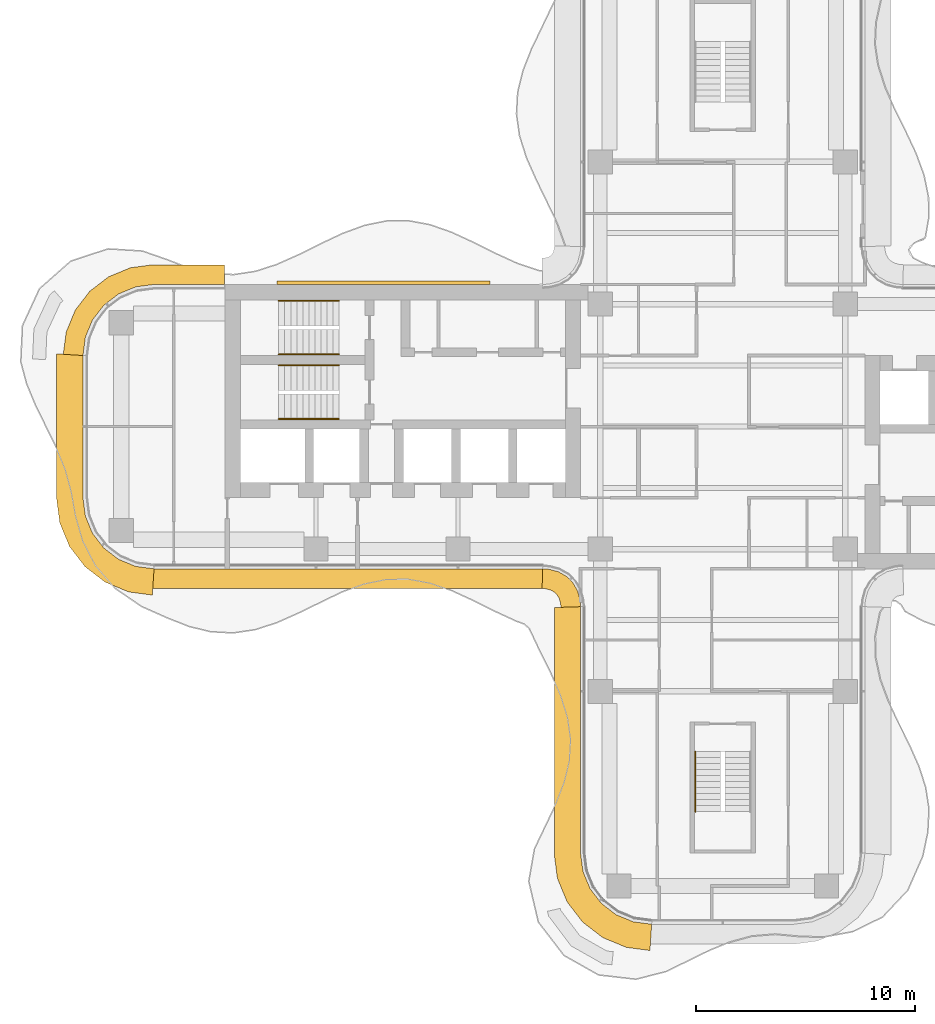
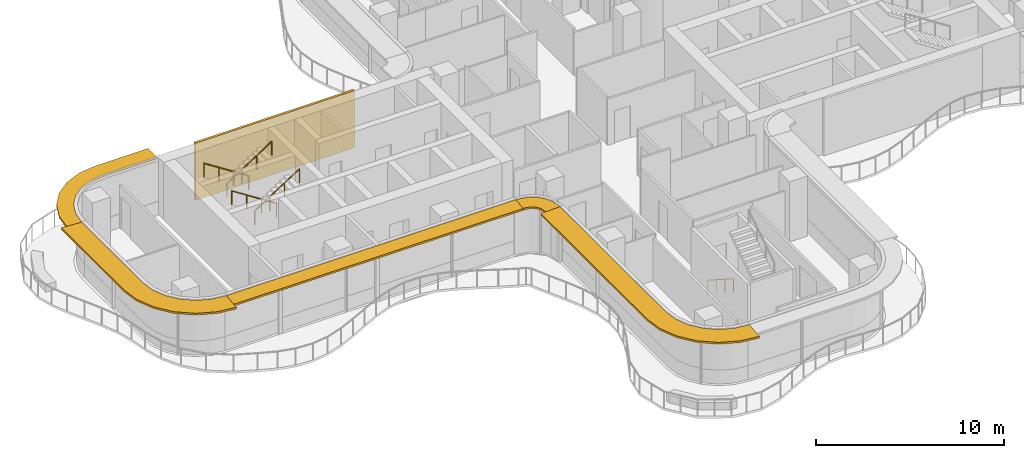
# One storey, part 16 of 17: 5 railings, 5 shading devices, 1 covering.
"""IFC4 building model written with IfcOpenShell, lengths in metres."""

import ifcopenshell
import ifcopenshell.guid

model = None  # the IFC model being written
_history = None  # IfcOwnerHistory: only IFC2X3 demands one
_inside = {}  # id of a spatial element -> (the spatial element, [elements in it])
_under = {}  # id of a project, library or spatial element -> (it, [spatial elements below it])
_declared = {}  # id of a project -> (the project, [libraries it declares])
_typed = {}  # id of a type object -> (the type object, [elements of that type])
_made_of = {}  # id of a material, layer set ... -> (it, [elements and type objects made of it])


def new_model(schema):
    """Start an empty IFC model of exactly this schema.

    Asked for "IFC4X3", IfcOpenShell would pick the latest addendum, in which some entities
    have other attributes; the version numbers below select the first issue.
    IFC2X3 requires an IfcOwnerHistory on every rooted entity: one is made here for all.
    """
    global model, _history
    if schema == "IFC4X3":
        model = ifcopenshell.file(schema_version=(4, 3, 0, 0))
    else:
        model = ifcopenshell.file(schema=schema)
    _inside.clear()
    _under.clear()
    _declared.clear()
    _typed.clear()
    _made_of.clear()
    _history = None
    if model.schema == "IFC2X3":
        org = make("IfcOrganization", Name="unknown")
        user = make(
            "IfcPersonAndOrganization",
            ThePerson=make("IfcPerson", FamilyName="unknown"),
            TheOrganization=org,
        )
        app = make(
            "IfcApplication",
            ApplicationDeveloper=org,
            Version="unknown",
            ApplicationFullName="unknown",
            ApplicationIdentifier="unknown",
        )
        _history = make(
            "IfcOwnerHistory",
            OwningUser=user,
            OwningApplication=app,
            ChangeAction="ADDED",
            CreationDate=0,
        )
    return model


def make(cls, **values):
    """One entity of the class cls with the attributes given. An attribute that is None is left unset."""
    return model.create_entity(
        cls, **{name: value for name, value in values.items() if value is not None}
    )


def rooted(cls, **values):
    """An entity with a GlobalId (a new one), such as an element, a storey or a relation."""
    return make(cls, GlobalId=ifcopenshell.guid.new(), OwnerHistory=_history, **values)


def si_unit(unit_type, name, prefix=None):
    """IfcSIUnit, for example si_unit("LENGTHUNIT", "METRE", prefix="MILLI")."""
    return make("IfcSIUnit", UnitType=unit_type, Prefix=prefix, Name=name)


def assignment(units):
    """IfcUnitAssignment: the units of a project."""
    return None if units is None else make("IfcUnitAssignment", Units=units)


def point(xyz):
    """IfcCartesianPoint."""
    return None if xyz is None else make("IfcCartesianPoint", Coordinates=xyz)


def direction(xyz):
    """IfcDirection."""
    return None if xyz is None else make("IfcDirection", DirectionRatios=xyz)


def frame(location, z_axis=None, x_axis=None):
    """IfcAxis2Placement3D, a coordinate frame: its origin and axes. An axis left out is left unset."""
    return make(
        "IfcAxis2Placement3D",
        Location=point(location),
        Axis=direction(z_axis),
        RefDirection=direction(x_axis),
    )


def frame_2d(location, x_axis=None):
    """IfcAxis2Placement2D, a coordinate frame in the plane: its origin and x axis."""
    return make(
        "IfcAxis2Placement2D", Location=point(location), RefDirection=direction(x_axis)
    )


def origin():
    """The frame at (0, 0, 0) with its axes left unset."""
    return frame((0.0, 0.0, 0.0))


def origin_2d():
    """The frame at (0, 0) in the plane with its x axis left unset."""
    return frame_2d((0.0, 0.0))


def place(relative_to, where):
    """IfcLocalPlacement: puts the frame where relative to a parent placement (None: the world)."""
    return make(
        "IfcLocalPlacement", PlacementRelTo=relative_to, RelativePlacement=where
    )


def context(
    kind, dimensions, precision=None, world=None, true_north=None, identifier=None
):
    """IfcGeometricRepresentationContext, for example the 3D "Model" context."""
    return make(
        "IfcGeometricRepresentationContext",
        ContextIdentifier=identifier,
        ContextType=kind,
        CoordinateSpaceDimension=dimensions,
        Precision=precision,
        WorldCoordinateSystem=world,
        TrueNorth=true_north,
    )


def subcontext(parent, identifier, kind, view, scale=None):
    """IfcGeometricRepresentationSubContext, for example "Body" below "Model"."""
    return make(
        "IfcGeometricRepresentationSubContext",
        ContextIdentifier=identifier,
        ContextType=kind,
        ParentContext=parent,
        TargetScale=scale,
        TargetView=view,
    )


def project(units=None, contexts=None):
    """IfcProject with its units and contexts."""
    return rooted(
        "IfcProject",
        Name="project",
        RepresentationContexts=contexts,
        UnitsInContext=assignment(units),
    )


def spatial(cls, under=None, at=None, **own):
    """A site, building, storey or space (cls), placed at a placement, below another one or the project."""
    s = rooted(cls, ObjectPlacement=at, **own)
    if under is not None:
        _under.setdefault(under.id(), (under, []))[1].append(s)
    return s


def polyline(points):
    """IfcPolyline through the points."""
    return make("IfcPolyline", Points=[point(p) for p in points])


def profile(cls, at=None, kind="AREA", **sizes):
    """A parametric profile (cls). Its sizes go by their IFC names, for example OverallWidth=200.0."""
    return make(cls, ProfileType=kind, Position=at, **sizes)


def circle(**sizes):
    """IfcCircleProfileDef."""
    return profile("IfcCircleProfileDef", **sizes)


def outline(outer, holes=None, kind="AREA"):
    """IfcArbitraryClosedProfileDef: a profile drawn as a closed curve; with holes, ...WithVoids."""
    if holes is None:
        return make("IfcArbitraryClosedProfileDef", ProfileType=kind, OuterCurve=outer)
    return make(
        "IfcArbitraryProfileDefWithVoids",
        ProfileType=kind,
        OuterCurve=outer,
        InnerCurves=holes,
    )


def extrude(swept, where, along, depth):
    """IfcExtrudedAreaSolid: the profile swept, set in the frame where, extruded along a direction by depth."""
    return make(
        "IfcExtrudedAreaSolid",
        SweptArea=swept,
        Position=where,
        ExtrudedDirection=direction(along),
        Depth=depth,
    )


def shape(context_of_items, identifier, shape_type, items):
    """IfcShapeRepresentation: the items that make up one representation, for example the "Body"."""
    return make(
        "IfcShapeRepresentation",
        ContextOfItems=context_of_items,
        RepresentationIdentifier=identifier,
        RepresentationType=shape_type,
        Items=items,
    )


def source(mapping_origin, context_of_items, identifier, shape_type, items):
    """IfcRepresentationMap: a shape defined once, which mapped items show again and again."""
    return make(
        "IfcRepresentationMap",
        MappingOrigin=mapping_origin,
        MappedRepresentation=shape(context_of_items, identifier, shape_type, items),
    )


def transform(
    local_origin,
    x_axis=None,
    y_axis=None,
    z_axis=None,
    scale=None,
    scale2=None,
    scale3=None,
    uniform=True,
):
    """IfcCartesianTransformationOperator3D, or its non-uniform kind. x_axis, y_axis, z_axis: its Axis1, 2, 3."""
    if uniform:
        return make(
            "IfcCartesianTransformationOperator3D",
            Axis1=direction(x_axis),
            Axis2=direction(y_axis),
            LocalOrigin=point(local_origin),
            Scale=scale,
            Axis3=direction(z_axis),
        )
    return make(
        "IfcCartesianTransformationOperator3DnonUniform",
        Axis1=direction(x_axis),
        Axis2=direction(y_axis),
        LocalOrigin=point(local_origin),
        Scale=scale,
        Axis3=direction(z_axis),
        Scale2=scale2,
        Scale3=scale3,
    )


def mapped(mapping_source, mapping_target):
    """IfcMappedItem: shows the shape of a source again, moved by a transform."""
    return make(
        "IfcMappedItem", MappingSource=mapping_source, MappingTarget=mapping_target
    )


def material(Name=None, Category=None):
    """IfcMaterial."""
    return make("IfcMaterial", Name=Name, Category=Category)


def layer(
    of_material, thickness, ventilated=None, Name=None, Category=None, Priority=None
):
    """IfcMaterialLayer: one layer of a wall or slab, of a material (None: an air gap)."""
    return make(
        "IfcMaterialLayer",
        Material=of_material,
        LayerThickness=thickness,
        IsVentilated=ventilated,
        Name=Name,
        Category=Category,
        Priority=Priority,
    )


def layer_set(layers, Name=None):
    """IfcMaterialLayerSet."""
    return make("IfcMaterialLayerSet", MaterialLayers=layers, LayerSetName=Name)


def made_of(thing, what):
    """Note that an element or type object is made of a material, layer set ...; save() writes the relation."""
    if what is not None:
        _made_of.setdefault(what.id(), (what, []))[1].append(thing)
    return thing


def type_object(cls, material=None, **own):
    """A type object (cls), such as IfcWallType, which elements share."""
    return made_of(rooted(cls, **own), material)


def element(
    cls,
    number,
    at=None,
    inside=None,
    cuts=None,
    type_object=None,
    material=None,
    context=None,
    identifier="Body",
    shape_type=None,
    held_by="IfcProductDefinitionShape",
    body=None,
    shapes=None,
    **own,
):
    """One element of the class cls, such as IfcWall. Its Tag is "e" and its number.

    at: its placement. inside: the storey or other place that contains it. cuts: it is an
    opening in that element (IfcRelVoidsElement). A single representation is given by context,
    identifier, shape_type and body (its items); several are given by shapes. held_by: the class
    of the entity that holds the representations. save() writes the other relations.
    """
    e = rooted(cls, Tag="e%d" % number, ObjectPlacement=at, **own)
    if body is not None:
        shapes = [shape(context, identifier, shape_type, body)]
    if shapes is not None:
        e.Representation = make(held_by, Representations=shapes)
    if inside is not None:
        _inside.setdefault(inside.id(), (inside, []))[1].append(e)
    if cuts is not None:
        rooted(
            "IfcRelVoidsElement", RelatingBuildingElement=cuts, RelatedOpeningElement=e
        )
    if type_object is not None:
        _typed.setdefault(type_object.id(), (type_object, []))[1].append(e)
    return made_of(e, material)


def aggregate(whole, parts):
    """IfcRelAggregates: a whole, such as a stair, and the parts it consists of."""
    return rooted("IfcRelAggregates", RelatingObject=whole, RelatedObjects=parts)


def save(model, path):
    """Write the relations noted so far, then the file.

    IfcRelAggregates (storeys below a building ...), IfcRelContainedInSpatialStructure (elements
    in a storey), IfcRelDefinesByType, IfcRelAssociatesMaterial and IfcRelDeclares: one each for
    every whole, place, type object, material and project.
    """
    for whole, parts in _under.values():
        aggregate(whole, parts)
    for where, things in _inside.values():
        rooted(
            "IfcRelContainedInSpatialStructure",
            RelatedElements=things,
            RelatingStructure=where,
        )
    for kind, things in _typed.values():
        rooted("IfcRelDefinesByType", RelatedObjects=things, RelatingType=kind)
    for what, things in _made_of.values():
        rooted("IfcRelAssociatesMaterial", RelatedObjects=things, RelatingMaterial=what)
    for by, libraries in _declared.values():
        rooted("IfcRelDeclares", RelatingContext=by, RelatedDefinitions=libraries)
    model.write(path)


model = new_model("IFC4")

# Units and contexts
model_context = context("Model", 3, precision=1e-05, world=origin(), true_north=direction((0.0, 1.0)))
body_context = subcontext(model_context, "Body", "Model", "MODEL_VIEW")
ifc_project = project(units=[si_unit("LENGTHUNIT", "METRE"), si_unit("AREAUNIT", "SQUARE_METRE"), si_unit("VOLUMEUNIT", "CUBIC_METRE"), si_unit("PLANEANGLEUNIT", "RADIAN"), si_unit("MASSUNIT", "GRAM", prefix="KILO")], contexts=[model_context])

# Site, building, storey
site_placement = place(None, origin())
site = spatial("IfcSite", under=ifc_project, at=site_placement, CompositionType="ELEMENT")
building_placement = place(site_placement, origin())
building = spatial("IfcBuilding", under=site, at=building_placement, Name="Trellis Farm Tower", CompositionType="ELEMENT")
storey_placement = place(building_placement, frame((0.0, 0.0, 259.699951171875)))
storey = spatial("IfcBuildingStorey", under=building, at=storey_placement, Name="L58", CompositionType="ELEMENT", Elevation=259.699951171875)

# Railings
ifc_material_1 = material(Name="Stainless steel", Category="steel")
railing_type = type_object("IfcRailingType", Name="STAIR HANDRAIL 900", PredefinedType="HANDRAIL", material=ifc_material_1)
shared_shape_1 = source(origin(), body_context, "Body", "SweptSolid", [
    extrude(circle(Radius=0.02392578125, at=origin_2d()), frame((0.0, 0.0, 0.8759765625), z_axis=(0.0, -0.840503830235, 0.541805602924), x_axis=(1.0, 0.0, 0.0)), (0.0, 0.0, 1.0), 3.271728515625),
    extrude(circle(Radius=0.02099609375, at=origin_2d()), origin(), (0.0, 0.0, 1.0), 0.851806640625),
    extrude(circle(Radius=0.02099609375, at=origin_2d()), frame((0.0, -0.916748046875, 0.5908203125)), (0.0, 0.0, 1.0), 0.851806640625),
    extrude(circle(Radius=0.02099609375, at=origin_2d()), frame((0.0, -1.833251953125, 1.181884765625)), (0.0, 0.0, 1.0), 0.851806640625),
    extrude(circle(Radius=0.02099609375, at=origin_2d()), frame((0.0, -2.75, 1.772705078125)), (0.0, 0.0, 1.0), 0.851806640625),
])
railing_placement = place(storey_placement, frame((-1.25, -14.85009765625, 0.17724609375)))
element("IfcRailing", 1, at=railing_placement, inside=storey, type_object=railing_type, Name="Stair handrail", PredefinedType="HANDRAIL", context=body_context, shape_type="MappedRepresentation", body=[
    mapped(shared_shape_1, transform((0.0, 0.0, 0.0))),
])
shared_shape_2 = source(origin(), body_context, "Body", "SweptSolid", [
    extrude(circle(Radius=0.02392578125, at=origin_2d()), frame((0.0, 0.0, 0.8759765625), z_axis=(0.840503830235, 0.0, 0.541805602924), x_axis=(0.0, 1.0, 0.0)), (0.0, 0.0, 1.0), 3.271728515625),
    extrude(circle(Radius=0.02099609375, at=origin_2d()), origin(), (0.0, 0.0, 1.0), 0.851806640625),
    extrude(circle(Radius=0.02099609375, at=origin_2d()), frame((0.916748046875, 0.0, 0.5908203125)), (0.0, 0.0, 1.0), 0.851806640625),
    extrude(circle(Radius=0.02099609375, at=origin_2d()), frame((1.833251953125, 0.0, 1.181884765625)), (0.0, 0.0, 1.0), 0.851806640625),
    extrude(circle(Radius=0.02099609375, at=origin_2d()), frame((2.75, 0.0, 1.772705078125)), (0.0, 0.0, 1.0), 0.851806640625),
])
for number, where, name in (
    (2, (-20.300048828125, 3.300048828125, 2.12744140625), "Stair handrail"),
    (3, (-20.300048828125, 0.35009765625, 2.12744140625), "Stair handrail"),
):
    element("IfcRailing", number, at=place(storey_placement, frame(where)), inside=storey, type_object=railing_type, Name=name, PredefinedType="HANDRAIL", context=body_context, shape_type="MappedRepresentation", body=[
        mapped(shared_shape_2, transform((0.0, 0.0, 0.0))),
    ])
shared_shape_3 = source(origin(), body_context, "Body", "SweptSolid", [
    extrude(circle(Radius=0.02392578125, at=origin_2d()), frame((0.0, 0.0, 0.8759765625), z_axis=(-0.840503830235, 0.0, 0.541805602924), x_axis=(0.0, -1.0, 0.0)), (0.0, 0.0, 1.0), 3.271728515625),
    extrude(circle(Radius=0.02099609375, at=origin_2d()), origin(), (0.0, 0.0, 1.0), 0.851806640625),
    extrude(circle(Radius=0.02099609375, at=origin_2d()), frame((-0.916748046875, 0.0, 0.5908203125)), (0.0, 0.0, 1.0), 0.851806640625),
    extrude(circle(Radius=0.02099609375, at=origin_2d()), frame((-1.833251953125, 0.0, 1.181884765625)), (0.0, 0.0, 1.0), 0.851806640625),
    extrude(circle(Radius=0.02099609375, at=origin_2d()), frame((-2.75, 0.0, 1.772705078125)), (0.0, 0.0, 1.0), 0.851806640625),
])
for number, where, name in (
    (4, (-17.550048828125, 5.75, 0.17724609375), "Stair handrail"),
    (5, (-17.550048828125, 2.800048828125, 0.17724609375), "Stair handrail"),
):
    element("IfcRailing", number, at=place(storey_placement, frame(where)), inside=storey, type_object=railing_type, Name=name, PredefinedType="HANDRAIL", context=body_context, shape_type="MappedRepresentation", body=[
        mapped(shared_shape_3, transform((0.0, 0.0, 0.0))),
    ])

# Shading device
ifc_material_2 = material(Name="Aluminium extrusion 6063-T6", Category="aluminium")
ifc_layer_1 = layer(ifc_material_2, 0.1201171875)
ifc_layer_set_1 = layer_set([ifc_layer_1], Name="SUNSHADE BLADE 900")
shading_device_type_1 = type_object("IfcShadingDeviceType", Name="SUNSHADE BLADE 900", PredefinedType="USERDEFINED", material=ifc_layer_set_1)
shared_shape_4 = source(origin(), body_context, "Body", "SweptSolid", [
    extrude(outline(polyline([(-8.2607421875, -7.39990234375), (-8.107666015625, -7.409912109375), (-8.091552734375, -7.412109375), (-7.85595703125, -7.475341796875), (-7.697021484375, -7.567138671875), (-7.567138671875, -7.697021484375), (-7.475341796875, -7.85595703125), (-7.412109375, -8.091552734375), (-7.409912109375, -8.107666015625), (-7.39990234375, -8.2607421875), (-6.5, -8.2314453125), (-6.513916015625, -8.01953125), (-6.527587890625, -7.91552734375), (-6.63671875, -7.508544921875), (-6.846923828125, -7.144287109375), (-7.144287109375, -6.846923828125), (-7.508544921875, -6.63671875), (-7.91552734375, -6.527587890625), (-8.01953125, -6.513916015625), (-8.2314453125, -6.5), (-8.2607421875, -7.39990234375)])), origin(), (0.0, 0.0, 1.0), 0.1201171875),
])
placement = place(storey_placement, frame((0.0, 0.0, 3.5400390625)))
element("IfcShadingDevice", 6, at=placement, inside=storey, type_object=shading_device_type_1, Name="SD1 002", ObjectType="SUNSHADE", PredefinedType="USERDEFINED", context=body_context, shape_type="MappedRepresentation", body=[
    mapped(shared_shape_4, transform((0.0, 0.0, 0.0))),
])

# Covering
ifc_material_3 = material(Name="Perforated precast screen (cobogo)", Category="concrete")
ifc_layer_2 = layer(ifc_material_3, 0.14990234375)
ifc_layer_set_2 = layer_set([ifc_layer_2], Name="COBOGO SCREEN PANEL")
covering_type = type_object("IfcCoveringType", Name="COBOGO SCREEN PANEL", PredefinedType="USERDEFINED", material=ifc_layer_set_2)
shared_shape_5 = source(origin(), body_context, "Body", "SweptSolid", [
    extrude(outline(polyline([(-10.630615234375, 6.64990234375), (-20.380615234375, 6.64990234375), (-20.380615234375, 6.5), (-10.630615234375, 6.5), (-10.630615234375, 6.64990234375)])), origin(), (0.0, 0.0, 1.0), 3.699951171875),
])
covering_placement = place(storey_placement, origin())
element("IfcCovering", 7, at=covering_placement, inside=storey, type_object=covering_type, Name="SC1 02", ObjectType="SCREEN", PredefinedType="USERDEFINED", context=body_context, shape_type="MappedRepresentation", body=[
    mapped(shared_shape_5, transform((0.0, 0.0, 0.0))),
])

# Shading devices
shared_shape_6 = source(origin(), body_context, "Body", "SweptSolid", [
    extrude(outline(polyline([(-26.05908203125, -7.39990234375), (-8.2607421875, -7.39990234375), (-8.2314453125, -6.5), (-26.0, -6.5), (-26.05908203125, -7.39990234375)])), origin(), (0.0, 0.0, 1.0), 0.1201171875),
])
element("IfcShadingDevice", 8, at=placement, inside=storey, type_object=shading_device_type_1, Name="SD1 001", ObjectType="SUNSHADE", PredefinedType="USERDEFINED", context=body_context, shape_type="MappedRepresentation", body=[
    mapped(shared_shape_6, transform((0.0, 0.0, 0.0))),
])
shared_shape_7 = source(origin(), body_context, "Body", "SweptSolid", [
    extrude(outline(polyline([(-22.780029296875, 7.39990234375), (-26.05908203125, 7.39990234375), (-27.076171875, 7.26611328125), (-28.078857421875, 6.850830078125), (-28.93994140625, 6.18994140625), (-29.600830078125, 5.328857421875), (-30.01611328125, 4.326171875), (-30.14990234375, 3.30908203125), (-29.25, 3.25), (-29.13916015625, 4.091064453125), (-28.814697265625, 4.875), (-28.298095703125, 5.548095703125), (-27.625, 6.064697265625), (-26.841064453125, 6.38916015625), (-26.0, 6.5), (-22.780029296875, 6.5), (-22.780029296875, 7.39990234375)])), origin(), (0.0, 0.0, 1.0), 0.1201171875),
])
element("IfcShadingDevice", 9, at=placement, inside=storey, type_object=shading_device_type_1, Name="SD1 015", ObjectType="SUNSHADE", PredefinedType="USERDEFINED", context=body_context, shape_type="MappedRepresentation", body=[
    mapped(shared_shape_7, transform((0.0, 0.0, 0.0))),
])
ifc_layer_3 = layer(ifc_material_2, 0.1201171875)
ifc_layer_set_3 = layer_set([ifc_layer_3], Name="SUNSHADE BLADE 1200")
shading_device_type_2 = type_object("IfcShadingDeviceType", Name="SUNSHADE BLADE 1200", PredefinedType="USERDEFINED", material=ifc_layer_set_3)
shared_shape_8 = source(origin(), body_context, "Body", "SweptSolid", [
    extrude(outline(polyline([(-30.449951171875, 3.32861328125), (-30.449951171875, -3.32861328125), (-30.308349609375, -4.404541015625), (-29.86279296875, -5.480224609375), (-29.154052734375, -6.404052734375), (-28.230224609375, -7.11279296875), (-27.154541015625, -7.558349609375), (-26.07861328125, -7.699951171875), (-26.0, -6.5), (-26.841064453125, -6.38916015625), (-27.625, -6.064697265625), (-28.298095703125, -5.548095703125), (-28.814697265625, -4.875), (-29.13916015625, -4.091064453125), (-29.25, -3.25), (-29.25, 3.25), (-30.449951171875, 3.32861328125)])), origin(), (0.0, 0.0, 1.0), 0.1201171875),
])
element("IfcShadingDevice", 10, at=placement, inside=storey, type_object=shading_device_type_2, Name="SD2 016", ObjectType="SUNSHADE", PredefinedType="USERDEFINED", context=body_context, shape_type="MappedRepresentation", body=[
    mapped(shared_shape_8, transform((0.0, 0.0, 0.0))),
])
shared_shape_9 = source(origin(), body_context, "Body", "SweptSolid", [
    extrude(outline(polyline([(-7.699951171875, -8.270751953125), (-7.699951171875, -19.57861328125), (-7.558349609375, -20.654541015625), (-7.11279296875, -21.730224609375), (-6.404052734375, -22.654052734375), (-5.480224609375, -23.36279296875), (-4.404541015625, -23.808349609375), (-3.32861328125, -23.949951171875), (-3.25, -22.75), (-4.091064453125, -22.63916015625), (-4.875, -22.314697265625), (-5.548095703125, -21.798095703125), (-6.064697265625, -21.125), (-6.38916015625, -20.341064453125), (-6.5, -19.5), (-6.5, -8.2314453125), (-7.699951171875, -8.270751953125)])), origin(), (0.0, 0.0, 1.0), 0.1201171875),
])
element("IfcShadingDevice", 11, at=placement, inside=storey, type_object=shading_device_type_2, Name="SD2 003", ObjectType="SUNSHADE", PredefinedType="USERDEFINED", context=body_context, shape_type="MappedRepresentation", body=[
    mapped(shared_shape_9, transform((0.0, 0.0, 0.0))),
])

save(model, "model.ifc")
